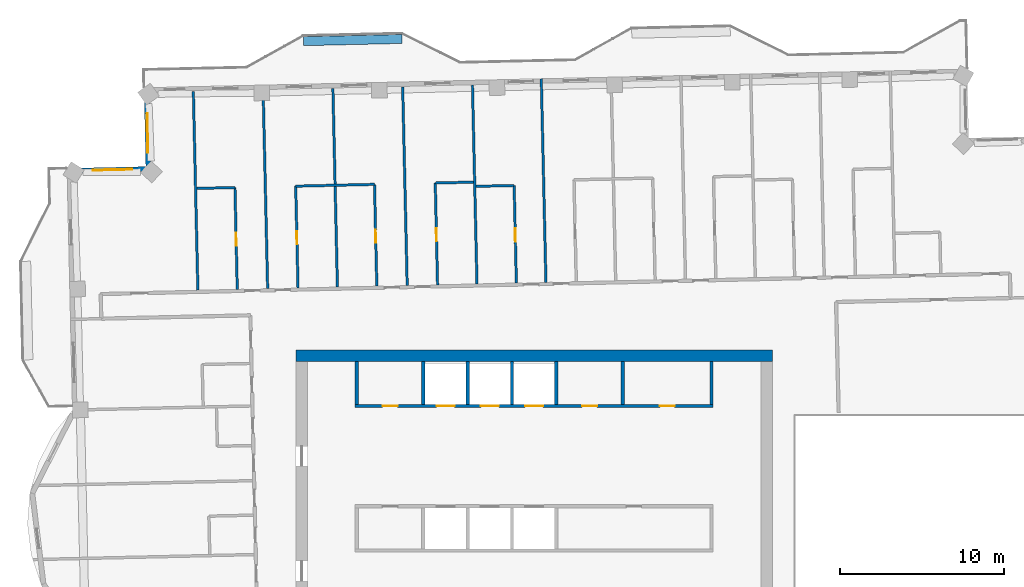
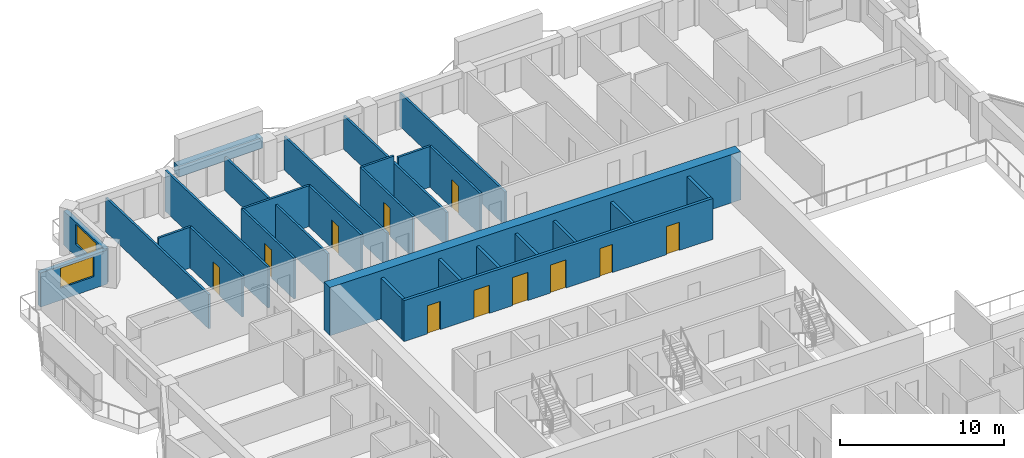
# One storey, part 13 of 19: 27 walls, 11 doors, 2 windows, 13 openings.
"""IFC4 building model written with IfcOpenShell, lengths in metres."""

from ifc_helpers import new_model, si_unit, direction, frame, frame_2d, origin, place, context, subcontext, project, spatial, rectangle, extrude, material, layer, layer_set, type_object, element, fill, save


model = new_model("IFC4")

# Units and contexts
model_context = context("Model", 3, precision=1e-05, world=origin(), true_north=direction((0.0, 1.0)))
body_context = subcontext(model_context, "Body", "Model", "MODEL_VIEW")
ifc_project = project(units=[si_unit("LENGTHUNIT", "METRE"), si_unit("AREAUNIT", "SQUARE_METRE"), si_unit("VOLUMEUNIT", "CUBIC_METRE"), si_unit("PLANEANGLEUNIT", "RADIAN"), si_unit("MASSUNIT", "GRAM", prefix="KILO")], contexts=[model_context])

# Site, building, storey
site_placement = place(None, origin())
site = spatial("IfcSite", under=ifc_project, at=site_placement, CompositionType="ELEMENT")
building_placement = place(site_placement, origin())
building = spatial("IfcBuilding", under=site, at=building_placement, Name="Mangrove Gate Tower", CompositionType="ELEMENT")
storey_placement = place(building_placement, frame((0.0, 0.0, 297.89990234375)))
storey = spatial("IfcBuildingStorey", under=building, at=storey_placement, Name="L76", CompositionType="ELEMENT", Elevation=297.89990234375)

# Walls
ifc_material_1 = material(Name="Concrete C32/40", Category="concrete")
ifc_layer_1 = layer(ifc_material_1, 0.199951171875)
ifc_layer_set_1 = layer_set([ifc_layer_1], Name="Core room wall 200 C32/40")
wall_type_1 = type_object("IfcWallType", Name="Core room wall 200 C32/40", PredefinedType="STANDARD", material=ifc_layer_set_1)
for number, where, z_axis, x_axis, name in (
    (1, (-10.800048828125, 8.199951171875, 0.0), (0.0, 0.0, 1.0), (0.0, 1.0, 0.0), "WALL-L76-CORE-25"),
    (2, (5.39990234375, 8.199951171875, 0.0), (0.0, 0.0, 1.0), (0.0, 1.0, 0.0), "WALL-L76-CORE-30"),
    (3, (10.800048828125, 8.199951171875, 0.0), (0.0, 0.0, 1.0), (0.0, 1.0, 0.0), "WALL-L76-CORE-31"),
):
    element("IfcWall", number, at=place(storey_placement, frame(where, z_axis=z_axis, x_axis=x_axis)), inside=storey, type_object=wall_type_1, Name=name, PredefinedType="STANDARD", context=body_context, shape_type="SweptSolid", body=[
        extrude(rectangle(XDim=2.60009765625, YDim=0.199951171875, at=frame_2d((1.300048828125, 0.0))), origin(), (0.0, 0.0, 1.0), 3.050048828125),
    ])

# Wall, openings, doors
ifc_material_2 = material(Name="Concrete C50/60", Category="concrete")
ifc_layer_2 = layer(ifc_material_2, 0.199951171875)
ifc_layer_set_2 = layer_set([ifc_layer_2], Name="Core shaft wall 200 C50/60")
wall_type_2 = type_object("IfcWallType", Name="Core shaft wall 200 C50/60", PredefinedType="SHEAR", material=ifc_layer_set_2)
wall_1_placement = place(storey_placement, frame((-10.89990234375, 8.10009765625, 0.0), z_axis=(0.0, 0.0, 1.0), x_axis=(1.0, 0.0, 0.0)))
wall_1 = element("IfcWall", 4, at=wall_1_placement, inside=storey, type_object=wall_type_2, Name="WALL-L76-CORE-8", PredefinedType="SHEAR", context=body_context, shape_type="SweptSolid", body=[
    extrude(rectangle(XDim=21.7998046875, YDim=0.199951171875, at=frame_2d((10.89990234375, 0.0))), origin(), (0.0, 0.0, 1.0), 3.050048828125),
])
opening_1_placement = place(wall_1_placement, frame((4.949951171875, 0.0, 0.0)))
opening_1 = element("IfcOpeningElement", 5, at=opening_1_placement, cuts=wall_1, Name="Opening LD", PredefinedType="OPENING", context=body_context, shape_type="SweptSolid", body=[
    extrude(rectangle(XDim=1.10009765625, YDim=2.10009765625, at=frame_2d((0.550048828125, 1.050048828125))), frame((0.0, 0.10986328125, 0.0), z_axis=(0.0, -1.0, 0.0), x_axis=(1.0, 0.0, 0.0)), (0.0, 0.0, 1.0), 0.219970703125),
])
opening_2_placement = place(wall_1_placement, frame((7.64990234375, 0.0, 0.0)))
opening_2 = element("IfcOpeningElement", 6, at=opening_2_placement, cuts=wall_1, Name="Opening LD", PredefinedType="OPENING", context=body_context, shape_type="SweptSolid", body=[
    extrude(rectangle(XDim=1.10009765625, YDim=2.10009765625, at=frame_2d((0.550048828125, 1.050048828125))), frame((0.0, 0.10986328125, 0.0), z_axis=(0.0, -1.0, 0.0), x_axis=(1.0, 0.0, 0.0)), (0.0, 0.0, 1.0), 0.219970703125),
])
opening_3_placement = place(wall_1_placement, frame((10.35009765625, 0.0, 0.0)))
opening_3 = element("IfcOpeningElement", 7, at=opening_3_placement, cuts=wall_1, Name="Opening LD", PredefinedType="OPENING", context=body_context, shape_type="SweptSolid", body=[
    extrude(rectangle(XDim=1.10009765625, YDim=2.10009765625, at=frame_2d((0.550048828125, 1.050048828125))), frame((0.0, 0.10986328125, 0.0), z_axis=(0.0, -1.0, 0.0), x_axis=(1.0, 0.0, 0.0)), (0.0, 0.0, 1.0), 0.219970703125),
])
opening_4_placement = place(wall_1_placement, frame((1.675048828125, 0.0, 0.0)))
opening_4 = element("IfcOpeningElement", 8, at=opening_4_placement, cuts=wall_1, Name="Opening RD", PredefinedType="OPENING", context=body_context, shape_type="SweptSolid", body=[
    extrude(rectangle(XDim=0.89990234375, YDim=2.10009765625, at=frame_2d((0.449951171875, 1.050048828125))), frame((0.0, 0.10986328125, 0.0), z_axis=(0.0, -1.0, 0.0), x_axis=(1.0, 0.0, 0.0)), (0.0, 0.0, 1.0), 0.219970703125),
])
opening_5_placement = place(wall_1_placement, frame((13.824951171875, 0.0, 0.0)))
opening_5 = element("IfcOpeningElement", 9, at=opening_5_placement, cuts=wall_1, Name="Opening RD", PredefinedType="OPENING", context=body_context, shape_type="SweptSolid", body=[
    extrude(rectangle(XDim=0.89990234375, YDim=2.10009765625, at=frame_2d((0.449951171875, 1.050048828125))), frame((0.0, 0.10986328125, 0.0), z_axis=(0.0, -1.0, 0.0), x_axis=(1.0, 0.0, 0.0)), (0.0, 0.0, 1.0), 0.219970703125),
])
opening_6_placement = place(wall_1_placement, frame((18.550048828125, 0.0, 0.0)))
opening_6 = element("IfcOpeningElement", 10, at=opening_6_placement, cuts=wall_1, Name="Opening KD", PredefinedType="OPENING", context=body_context, shape_type="SweptSolid", body=[
    extrude(rectangle(XDim=0.89990234375, YDim=2.10009765625, at=frame_2d((0.449951171875, 1.050048828125))), frame((0.0, 0.10986328125, 0.0), z_axis=(0.0, -1.0, 0.0), x_axis=(1.0, 0.0, 0.0)), (0.0, 0.0, 1.0), 0.219970703125),
])
ifc_material_3 = material(Name="Fire-rated steel door set", Category="steel")
door_type_1 = type_object("IfcDoorType", Name="Core room door FD30S 900x2100", OperationType="SINGLE_SWING_RIGHT", PredefinedType="DOOR", material=ifc_material_3)
door_1_placement = place(opening_6_placement, origin())
door_1 = element("IfcDoor", 11, at=door_1_placement, inside=storey, type_object=door_type_1, Name="Core room door Core WC", OperationType="SINGLE_SWING_RIGHT", OverallHeight=2.10009765625, OverallWidth=0.89990234375, PredefinedType="DOOR", context=body_context, shape_type="SweptSolid", body=[
    extrude(rectangle(XDim=0.89990234375, YDim=2.10009765625, at=frame_2d((0.449951171875, 1.050048828125))), frame((0.0, 0.02490234375, 0.0), z_axis=(0.0, -1.0, 0.0), x_axis=(1.0, 0.0, 0.0)), (0.0, 0.0, 1.0), 0.050048828125),
])
fill(opening_6, door_1)
ifc_material_4 = material(Name="Stainless steel 316", Category="steel")
door_type_2 = type_object("IfcDoorType", Name="Lift landing door 1100x2100", OperationType="SLIDING_TO_LEFT", PredefinedType="DOOR", material=ifc_material_4)
door_2_placement = place(opening_1_placement, origin())
door_2 = element("IfcDoor", 12, at=door_2_placement, inside=storey, type_object=door_type_2, Name="Landing door LD H04", OperationType="SLIDING_TO_LEFT", OverallHeight=2.10009765625, OverallWidth=1.10009765625, PredefinedType="DOOR", context=body_context, shape_type="SweptSolid", body=[
    extrude(rectangle(XDim=1.10009765625, YDim=2.10009765625, at=frame_2d((0.550048828125, 1.050048828125))), frame((0.0, 0.02490234375, 0.0), z_axis=(0.0, -1.0, 0.0), x_axis=(1.0, 0.0, 0.0)), (0.0, 0.0, 1.0), 0.050048828125),
])
fill(opening_1, door_2)
door_3_placement = place(opening_2_placement, origin())
door_3 = element("IfcDoor", 13, at=door_3_placement, inside=storey, type_object=door_type_2, Name="Landing door LD H05", OperationType="SLIDING_TO_LEFT", OverallHeight=2.10009765625, OverallWidth=1.10009765625, PredefinedType="DOOR", context=body_context, shape_type="SweptSolid", body=[
    extrude(rectangle(XDim=1.10009765625, YDim=2.10009765625, at=frame_2d((0.550048828125, 1.050048828125))), frame((0.0, 0.02490234375, 0.0), z_axis=(0.0, -1.0, 0.0), x_axis=(1.0, 0.0, 0.0)), (0.0, 0.0, 1.0), 0.050048828125),
])
fill(opening_2, door_3)
door_4_placement = place(opening_3_placement, origin())
door_4 = element("IfcDoor", 14, at=door_4_placement, inside=storey, type_object=door_type_2, Name="Landing door LD H06", OperationType="SLIDING_TO_LEFT", OverallHeight=2.10009765625, OverallWidth=1.10009765625, PredefinedType="DOOR", context=body_context, shape_type="SweptSolid", body=[
    extrude(rectangle(XDim=1.10009765625, YDim=2.10009765625, at=frame_2d((0.550048828125, 1.050048828125))), frame((0.0, 0.02490234375, 0.0), z_axis=(0.0, -1.0, 0.0), x_axis=(1.0, 0.0, 0.0)), (0.0, 0.0, 1.0), 0.050048828125),
])
fill(opening_3, door_4)
ifc_material_5 = material(Name="Fire-rated steel door set", Category="steel")
door_type_3 = type_object("IfcDoorType", Name="Riser door FD30S 900x2100", OperationType="SINGLE_SWING_LEFT", PredefinedType="DOOR", material=ifc_material_5)
door_5_placement = place(opening_4_placement, origin())
door_5 = element("IfcDoor", 15, at=door_5_placement, inside=storey, type_object=door_type_3, Name="Riser door Switch room", OperationType="SINGLE_SWING_LEFT", OverallHeight=2.10009765625, OverallWidth=0.89990234375, PredefinedType="DOOR", context=body_context, shape_type="SweptSolid", body=[
    extrude(rectangle(XDim=0.89990234375, YDim=2.10009765625, at=frame_2d((0.449951171875, 1.050048828125))), frame((0.0, 0.02490234375, 0.0), z_axis=(0.0, -1.0, 0.0), x_axis=(1.0, 0.0, 0.0)), (0.0, 0.0, 1.0), 0.050048828125),
])
fill(opening_4, door_5)
door_6_placement = place(opening_5_placement, origin())
door_6 = element("IfcDoor", 16, at=door_6_placement, inside=storey, type_object=door_type_3, Name="Riser door Comms room", OperationType="SINGLE_SWING_LEFT", OverallHeight=2.10009765625, OverallWidth=0.89990234375, PredefinedType="DOOR", context=body_context, shape_type="SweptSolid", body=[
    extrude(rectangle(XDim=0.89990234375, YDim=2.10009765625, at=frame_2d((0.449951171875, 1.050048828125))), frame((0.0, 0.02490234375, 0.0), z_axis=(0.0, -1.0, 0.0), x_axis=(1.0, 0.0, 0.0)), (0.0, 0.0, 1.0), 0.050048828125),
])
fill(opening_5, door_6)

# Walls
for number, where, z_axis, x_axis, name in (
    (17, (-6.75, 8.199951171875, 0.0), (0.0, 0.0, 1.0), (0.0, 1.0, 0.0), "WALL-L76-CORE-26"),
    (18, (-4.050048828125, 8.199951171875, 0.0), (0.0, 0.0, 1.0), (0.0, 1.0, 0.0), "WALL-L76-CORE-27"),
    (19, (-1.35009765625, 8.199951171875, 0.0), (0.0, 0.0, 1.0), (0.0, 1.0, 0.0), "WALL-L76-CORE-28"),
    (20, (1.35009765625, 8.199951171875, 0.0), (0.0, 0.0, 1.0), (0.0, 1.0, 0.0), "WALL-L76-CORE-29"),
):
    element("IfcWall", number, at=place(storey_placement, frame(where, z_axis=z_axis, x_axis=x_axis)), inside=storey, type_object=wall_type_2, Name=name, PredefinedType="SHEAR", context=body_context, shape_type="SweptSolid", body=[
        extrude(rectangle(XDim=2.60009765625, YDim=0.199951171875, at=frame_2d((1.300048828125, 0.0))), origin(), (0.0, 0.0, 1.0), 3.050048828125),
    ])
ifc_material_6 = material(Name="Concrete C50/60", Category="concrete")
ifc_layer_3 = layer(ifc_material_6, 0.699951171875)
ifc_layer_set_3 = layer_set([ifc_layer_3], Name="Core wall 700 C50/60")
wall_type_3 = type_object("IfcWallType", Name="Core wall 700 C50/60", PredefinedType="SHEAR", material=ifc_layer_set_3)
wall_2_placement = place(storey_placement, frame((-14.5, 11.14990234375, 0.0), z_axis=(0.0, 0.0, 1.0), x_axis=(1.0, 0.0, 0.0)))
element("IfcWall", 21, at=wall_2_placement, inside=storey, type_object=wall_type_3, Name="WALL-L76-CORE-2", PredefinedType="SHEAR", context=body_context, shape_type="SweptSolid", body=[
    extrude(rectangle(XDim=29.0, YDim=0.699951171875, at=frame_2d((14.5, 0.0))), origin(), (0.0, 0.0, 1.0), 3.60009765625),
])

# Wall, opening, window
ifc_material_7 = material(Name="Limestone", Category="masonry")
ifc_layer_4 = layer(ifc_material_7, 0.0400390625, Name="Limestone cladding")
ifc_material_8 = material(Name="Ventilated air gap")
ifc_layer_5 = layer(ifc_material_8, 0.0400390625, Name="Ventilated cavity")
ifc_material_9 = material(Name="Mineral wool insulation")
ifc_layer_6 = layer(ifc_material_9, 0.06005859375, Name="Insulation")
ifc_material_10 = material(Name="Breather membrane")
ifc_layer_7 = layer(ifc_material_10, 0.001953125, Name="Breather membrane")
ifc_material_11 = material(Name="Concrete C20/25 blockwork", Category="masonry")
ifc_layer_8 = layer(ifc_material_11, 0.14990234375, Name="Blockwork backing wall")
ifc_material_12 = material(Name="Gypsum plaster")
ifc_layer_9 = layer(ifc_material_12, 0.008056640625, Name="Internal plaster")
ifc_layer_set_4 = layer_set([ifc_layer_4, ifc_layer_5, ifc_layer_6, ifc_layer_7, ifc_layer_8, ifc_layer_9], Name="External wall 300 limestone cladding")
wall_type_4 = type_object("IfcWallType", Name="External wall 300 limestone cladding", PredefinedType="SOLIDWALL", material=ifc_layer_set_4)
wall_3_placement = place(storey_placement, frame((-23.60693359375, 27.3349609375, 0.0), z_axis=(0.0, 0.0, 1.0), x_axis=(0.022631497725, -0.999743874855, 0.0)))
wall_3 = element("IfcWall", 22, at=wall_3_placement, inside=storey, type_object=wall_type_4, Name="WALL-L76-W6s1", PredefinedType="SOLIDWALL", context=body_context, shape_type="SweptSolid", body=[
    extrude(rectangle(XDim=4.811279296875, YDim=0.300048828125, at=frame_2d((2.40576171875, 0.0))), origin(), (0.0, 0.0, 1.0), 2.550048828125),
])
opening_7_placement = place(wall_3_placement, frame((1.408935546875, 0.0, 0.89990234375)))
opening_7 = element("IfcOpeningElement", 23, at=opening_7_placement, cuts=wall_3, Name="Opening W2", PredefinedType="OPENING", context=body_context, shape_type="SweptSolid", body=[
    extrude(rectangle(XDim=2.39990234375, YDim=1.5, at=frame_2d((1.199951171875, 0.75))), frame((0.0, 0.159912109375, 0.0), z_axis=(0.0, -1.0, 0.0), x_axis=(1.0, 0.0, 0.0)), (0.0, 0.0, 1.0), 0.320068359375),
])
ifc_material_13 = material(Name="Aluminium frame with double-glazed low-e glass", Category="aluminium")
window_type = type_object("IfcWindowType", Name="Corner room window 2400x1500", PartitioningType="DOUBLE_PANEL_VERTICAL", PredefinedType="WINDOW", material=ifc_material_13)
window_1_placement = place(opening_7_placement, origin())
window_1 = element("IfcWindow", 24, at=window_1_placement, inside=storey, type_object=window_type, Name="WIN-L76-W6-1", OverallHeight=1.5, OverallWidth=2.39990234375, PartitioningType="DOUBLE_PANEL_VERTICAL", PredefinedType="WINDOW", context=body_context, shape_type="SweptSolid", body=[
    extrude(rectangle(XDim=2.39990234375, YDim=1.5, at=frame_2d((1.199951171875, 0.75))), frame((0.0, 0.030029296875, 0.0), z_axis=(0.0, -1.0, 0.0), x_axis=(1.0, 0.0, 0.0)), (0.0, 0.0, 1.0), 0.06005859375),
])
fill(opening_7, window_1)

wall_4_placement = place(storey_placement, frame((-23.498046875, 22.535888671875, 0.0), z_axis=(0.0, 0.0, 1.0), x_axis=(-0.999742701292, -0.022683280499, 0.0)))
wall_4 = element("IfcWall", 25, at=wall_4_placement, inside=storey, type_object=wall_type_4, Name="WALL-L76-N7", PredefinedType="SOLIDWALL", context=body_context, shape_type="SweptSolid", body=[
    extrude(rectangle(XDim=4.80029296875, YDim=0.300048828125, at=frame_2d((2.400146484375, 0.0))), origin(), (0.0, 0.0, 1.0), 2.550048828125),
])
opening_8_placement = place(wall_4_placement, frame((0.989990234375, 0.0, 0.89990234375)))
opening_8 = element("IfcOpeningElement", 26, at=opening_8_placement, cuts=wall_4, Name="Opening W2", PredefinedType="OPENING", context=body_context, shape_type="SweptSolid", body=[
    extrude(rectangle(XDim=2.39990234375, YDim=1.5, at=frame_2d((1.199951171875, 0.75))), frame((0.0, 0.159912109375, 0.0), z_axis=(0.0, -1.0, 0.0), x_axis=(1.0, 0.0, 0.0)), (0.0, 0.0, 1.0), 0.320068359375),
])
window_2_placement = place(opening_8_placement, origin())
window_2 = element("IfcWindow", 27, at=window_2_placement, inside=storey, type_object=window_type, Name="WIN-L76-N7-1", OverallHeight=1.5, OverallWidth=2.39990234375, PartitioningType="DOUBLE_PANEL_VERTICAL", PredefinedType="WINDOW", context=body_context, shape_type="SweptSolid", body=[
    extrude(rectangle(XDim=2.39990234375, YDim=1.5, at=frame_2d((1.199951171875, 0.75))), frame((0.0, 0.030029296875, 0.0), z_axis=(0.0, -1.0, 0.0), x_axis=(1.0, 0.0, 0.0)), (0.0, 0.0, 1.0), 0.06005859375),
])
fill(opening_8, window_2)

# Wall
ifc_material_14 = material(Name="Gypsum board on steel stud, EI 60", Category="steel")
ifc_layer_10 = layer(ifc_material_14, 0.14990234375)
ifc_layer_set_5 = layer_set([ifc_layer_10], Name="Party wall 150 EI 60")
wall_type_5 = type_object("IfcWallType", Name="Party wall 150 EI 60", PredefinedType="PARTITIONING", material=ifc_layer_set_5)
wall_5_placement = place(storey_placement, frame((-20.48193359375, 15.152099609375, 0.0), z_axis=(0.0, 0.0, 1.0), x_axis=(-0.022737445516, 0.999741470867, 0.0)))
element("IfcWall", 28, at=wall_5_placement, inside=storey, type_object=wall_type_5, Name="WALL-L76-061", PredefinedType="PARTITIONING", context=body_context, shape_type="SweptSolid", body=[
    extrude(rectangle(XDim=12.10107421875, YDim=0.14990234375, at=frame_2d((6.050537109375, 0.0))), origin(), (0.0, 0.0, 1.0), 2.550048828125),
])

# Wall, opening, door
wall_6_placement = place(storey_placement, frame((-18.0830078125, 15.20703125, 0.0), z_axis=(0.0, 0.0, 1.0), x_axis=(-0.022564860101, 0.999745381129, 0.0)))
wall_6 = element("IfcWall", 29, at=wall_6_placement, inside=storey, type_object=wall_type_5, Name="WALL-L76-062", PredefinedType="PARTITIONING", context=body_context, shape_type="SweptSolid", body=[
    extrude(rectangle(XDim=6.199462890625, YDim=0.14990234375, at=frame_2d((3.099609375, 0.0))), origin(), (0.0, 0.0, 1.0), 3.050048828125),
])
opening_9_placement = place(wall_6_placement, frame((2.64990234375, 0.0, 0.0)))
opening_9 = element("IfcOpeningElement", 30, at=opening_9_placement, cuts=wall_6, Name="Opening ED", PredefinedType="OPENING", context=body_context, shape_type="SweptSolid", body=[
    extrude(rectangle(XDim=0.800048828125, YDim=2.10009765625, at=frame_2d((0.39990234375, 1.050048828125))), frame((0.0, 0.0849609375, 0.0), z_axis=(0.0, -1.0, 0.0), x_axis=(1.0, 0.0, 0.0)), (0.0, 0.0, 1.0), 0.169921875),
])
ifc_material_15 = material(Name="Timber door leaf", Category="wood")
door_type_4 = type_object("IfcDoorType", Name="En-suite door 800", OperationType="SINGLE_SWING_LEFT", PredefinedType="DOOR", material=ifc_material_15)
door_7_placement = place(opening_9_placement, origin())
door_7 = element("IfcDoor", 31, at=door_7_placement, inside=storey, type_object=door_type_4, Name="DOOR-L76-ENS-c519", OperationType="SINGLE_SWING_LEFT", OverallHeight=2.10009765625, OverallWidth=0.800048828125, PredefinedType="DOOR", context=body_context, shape_type="SweptSolid", body=[
    extrude(rectangle(XDim=0.800048828125, YDim=2.10009765625, at=frame_2d((0.39990234375, 1.050048828125))), frame((0.0, 0.02490234375, 0.0), z_axis=(0.0, -1.0, 0.0), x_axis=(1.0, 0.0, 0.0)), (0.0, 0.0, 1.0), 0.050048828125),
])
fill(opening_9, door_7)

# Wall
wall_7_placement = place(storey_placement, frame((-16.23291015625, 15.2490234375, 0.0), z_axis=(0.0, 0.0, 1.0), x_axis=(-0.02273928012, 0.99974142914, 0.0)))
element("IfcWall", 32, at=wall_7_placement, inside=storey, type_object=wall_type_5, Name="WALL-L76-063", PredefinedType="PARTITIONING", context=body_context, shape_type="SweptSolid", body=[
    extrude(rectangle(XDim=12.10009765625, YDim=0.14990234375, at=frame_2d((6.050048828125, 0.0))), origin(), (0.0, 0.0, 1.0), 3.050048828125),
])

# Wall, opening, door
wall_8_placement = place(storey_placement, frame((-14.384033203125, 15.291015625, 0.0), z_axis=(0.0, 0.0, 1.0), x_axis=(-0.022564860101, 0.999745381129, 0.0)))
wall_8 = element("IfcWall", 33, at=wall_8_placement, inside=storey, type_object=wall_type_5, Name="WALL-L76-064", PredefinedType="PARTITIONING", context=body_context, shape_type="SweptSolid", body=[
    extrude(rectangle(XDim=6.199462890625, YDim=0.14990234375, at=frame_2d((3.099609375, 0.0))), origin(), (0.0, 0.0, 1.0), 3.050048828125),
])
opening_10_placement = place(wall_8_placement, frame((2.64990234375, 0.0, 0.0)))
opening_10 = element("IfcOpeningElement", 34, at=opening_10_placement, cuts=wall_8, Name="Opening ED", PredefinedType="OPENING", context=body_context, shape_type="SweptSolid", body=[
    extrude(rectangle(XDim=0.800048828125, YDim=2.10009765625, at=frame_2d((0.39990234375, 1.050048828125))), frame((0.0, 0.0849609375, 0.0), z_axis=(0.0, -1.0, 0.0), x_axis=(1.0, 0.0, 0.0)), (0.0, 0.0, 1.0), 0.169921875),
])
door_8_placement = place(opening_10_placement, origin())
door_8 = element("IfcDoor", 35, at=door_8_placement, inside=storey, type_object=door_type_4, Name="DOOR-L76-ENS-c518", OperationType="SINGLE_SWING_RIGHT", OverallHeight=2.10009765625, OverallWidth=0.800048828125, PredefinedType="DOOR", context=body_context, shape_type="SweptSolid", body=[
    extrude(rectangle(XDim=0.800048828125, YDim=2.10009765625, at=frame_2d((0.39990234375, 1.050048828125))), frame((0.0, 0.02490234375, 0.0), z_axis=(0.0, -1.0, 0.0), x_axis=(1.0, 0.0, 0.0)), (0.0, 0.0, 1.0), 0.050048828125),
])
fill(opening_10, door_8)

# Wall
wall_9_placement = place(storey_placement, frame((-11.98388671875, 15.344970703125, 0.0), z_axis=(0.0, 0.0, 1.0), x_axis=(-0.02273928012, 0.99974142914, 0.0)))
element("IfcWall", 36, at=wall_9_placement, inside=storey, type_object=wall_type_5, Name="WALL-L76-065", PredefinedType="PARTITIONING", context=body_context, shape_type="SweptSolid", body=[
    extrude(rectangle(XDim=12.10009765625, YDim=0.14990234375, at=frame_2d((6.050048828125, 0.0))), origin(), (0.0, 0.0, 1.0), 2.5),
])

# Wall, opening, door
wall_10_placement = place(storey_placement, frame((-9.5849609375, 15.39990234375, 0.0), z_axis=(0.0, 0.0, 1.0), x_axis=(-0.022604220207, 0.999744491972, 0.0)))
wall_10 = element("IfcWall", 37, at=wall_10_placement, inside=storey, type_object=wall_type_5, Name="WALL-L76-066", PredefinedType="PARTITIONING", context=body_context, shape_type="SweptSolid", body=[
    extrude(rectangle(XDim=6.199462890625, YDim=0.14990234375, at=frame_2d((3.099609375, 0.0))), origin(), (0.0, 0.0, 1.0), 3.050048828125),
])
opening_11_placement = place(wall_10_placement, frame((2.64990234375, 0.0, 0.0)))
opening_11 = element("IfcOpeningElement", 38, at=opening_11_placement, cuts=wall_10, Name="Opening ED", PredefinedType="OPENING", context=body_context, shape_type="SweptSolid", body=[
    extrude(rectangle(XDim=0.800048828125, YDim=2.10009765625, at=frame_2d((0.39990234375, 1.050048828125))), frame((0.0, 0.0849609375, 0.0), z_axis=(0.0, -1.0, 0.0), x_axis=(1.0, 0.0, 0.0)), (0.0, 0.0, 1.0), 0.169921875),
])
door_9_placement = place(opening_11_placement, origin())
door_9 = element("IfcDoor", 39, at=door_9_placement, inside=storey, type_object=door_type_4, Name="DOOR-L76-ENS-c517", OperationType="SINGLE_SWING_LEFT", OverallHeight=2.10009765625, OverallWidth=0.800048828125, PredefinedType="DOOR", context=body_context, shape_type="SweptSolid", body=[
    extrude(rectangle(XDim=0.800048828125, YDim=2.10009765625, at=frame_2d((0.39990234375, 1.050048828125))), frame((0.0, 0.02490234375, 0.0), z_axis=(0.0, -1.0, 0.0), x_axis=(1.0, 0.0, 0.0)), (0.0, 0.0, 1.0), 0.050048828125),
])
fill(opening_11, door_9)

# Wall
wall_11_placement = place(storey_placement, frame((-7.735107421875, 15.44189453125, 0.0), z_axis=(0.0, 0.0, 1.0), x_axis=(-0.022718655443, 0.999741898039, 0.0)))
element("IfcWall", 40, at=wall_11_placement, inside=storey, type_object=wall_type_5, Name="WALL-L76-067", PredefinedType="PARTITIONING", context=body_context, shape_type="SweptSolid", body=[
    extrude(rectangle(XDim=12.100341796875, YDim=0.14990234375, at=frame_2d((6.05029296875, 0.0))), origin(), (0.0, 0.0, 1.0), 2.5),
])

# Wall, opening, door
wall_12_placement = place(storey_placement, frame((-5.885986328125, 15.48388671875, 0.0), z_axis=(0.0, 0.0, 1.0), x_axis=(-0.022564860101, 0.999745381129, 0.0)))
wall_12 = element("IfcWall", 41, at=wall_12_placement, inside=storey, type_object=wall_type_5, Name="WALL-L76-068", PredefinedType="PARTITIONING", context=body_context, shape_type="SweptSolid", body=[
    extrude(rectangle(XDim=6.199462890625, YDim=0.14990234375, at=frame_2d((3.099609375, 0.0))), origin(), (0.0, 0.0, 1.0), 3.050048828125),
])
opening_12_placement = place(wall_12_placement, frame((2.64990234375, 0.0, 0.0)))
opening_12 = element("IfcOpeningElement", 42, at=opening_12_placement, cuts=wall_12, Name="Opening ED", PredefinedType="OPENING", context=body_context, shape_type="SweptSolid", body=[
    extrude(rectangle(XDim=0.800048828125, YDim=2.10009765625, at=frame_2d((0.39990234375, 1.050048828125))), frame((0.0, 0.0849609375, 0.0), z_axis=(0.0, -1.0, 0.0), x_axis=(1.0, 0.0, 0.0)), (0.0, 0.0, 1.0), 0.169921875),
])
door_10_placement = place(opening_12_placement, origin())
door_10 = element("IfcDoor", 43, at=door_10_placement, inside=storey, type_object=door_type_4, Name="DOOR-L76-ENS-c416", OperationType="SINGLE_SWING_RIGHT", OverallHeight=2.10009765625, OverallWidth=0.800048828125, PredefinedType="DOOR", context=body_context, shape_type="SweptSolid", body=[
    extrude(rectangle(XDim=0.800048828125, YDim=2.10009765625, at=frame_2d((0.39990234375, 1.050048828125))), frame((0.0, 0.02490234375, 0.0), z_axis=(0.0, -1.0, 0.0), x_axis=(1.0, 0.0, 0.0)), (0.0, 0.0, 1.0), 0.050048828125),
])
fill(opening_12, door_10)

# Wall
wall_13_placement = place(storey_placement, frame((-3.486083984375, 15.5380859375, 0.0), z_axis=(0.0, 0.0, 1.0), x_axis=(-0.022719113715, 0.999741887625, 0.0)))
element("IfcWall", 44, at=wall_13_placement, inside=storey, type_object=wall_type_5, Name="WALL-L76-069", PredefinedType="PARTITIONING", context=body_context, shape_type="SweptSolid", body=[
    extrude(rectangle(XDim=12.10009765625, YDim=0.14990234375, at=frame_2d((6.050048828125, 0.0))), origin(), (0.0, 0.0, 1.0), 2.5),
])

# Wall, opening, door
wall_14_placement = place(storey_placement, frame((-1.0869140625, 15.593017578125, 0.0), z_axis=(0.0, 0.0, 1.0), x_axis=(-0.022730742442, 0.999741623295, 0.0)))
wall_14 = element("IfcWall", 45, at=wall_14_placement, inside=storey, type_object=wall_type_5, Name="WALL-L76-070", PredefinedType="PARTITIONING", context=body_context, shape_type="SweptSolid", body=[
    extrude(rectangle(XDim=5.939453125, YDim=0.14990234375, at=frame_2d((2.9697265625, 0.0))), origin(), (0.0, 0.0, 1.0), 3.050048828125),
])
opening_13_placement = place(wall_14_placement, frame((2.52001953125, 0.0, 0.0)))
opening_13 = element("IfcOpeningElement", 46, at=opening_13_placement, cuts=wall_14, Name="Opening ED", PredefinedType="OPENING", context=body_context, shape_type="SweptSolid", body=[
    extrude(rectangle(XDim=0.800048828125, YDim=2.10009765625, at=frame_2d((0.39990234375, 1.050048828125))), frame((0.0, 0.0849609375, 0.0), z_axis=(0.0, -1.0, 0.0), x_axis=(1.0, 0.0, 0.0)), (0.0, 0.0, 1.0), 0.169921875),
])
door_11_placement = place(opening_13_placement, origin())
door_11 = element("IfcDoor", 47, at=door_11_placement, inside=storey, type_object=door_type_4, Name="DOOR-L76-ENS-c415", OperationType="SINGLE_SWING_LEFT", OverallHeight=2.10009765625, OverallWidth=0.800048828125, PredefinedType="DOOR", context=body_context, shape_type="SweptSolid", body=[
    extrude(rectangle(XDim=0.800048828125, YDim=2.10009765625, at=frame_2d((0.39990234375, 1.050048828125))), frame((0.0, 0.02490234375, 0.0), z_axis=(0.0, -1.0, 0.0), x_axis=(1.0, 0.0, 0.0)), (0.0, 0.0, 1.0), 0.050048828125),
])
fill(opening_13, door_11)

# Walls
wall_15_placement = place(storey_placement, frame((0.712890625, 15.633056640625, 0.0), z_axis=(0.0, 0.0, 1.0), x_axis=(-0.022740189192, 0.999741408463, 0.0)))
element("IfcWall", 48, at=wall_15_placement, inside=storey, type_object=wall_type_5, Name="WALL-L76-071", PredefinedType="PARTITIONING", context=body_context, shape_type="SweptSolid", body=[
    extrude(rectangle(XDim=12.400146484375, YDim=0.14990234375, at=frame_2d((6.2001953125, 0.0))), origin(), (0.0, 0.0, 1.0), 2.5),
])
wall_16_placement = place(storey_placement, frame((-3.5439453125, 21.47802734375, 0.0), z_axis=(0.0, 0.0, 1.0), x_axis=(0.999740260747, 0.02279059109, 0.0)))
element("IfcWall", 49, at=wall_16_placement, inside=storey, type_object=wall_type_5, Name="WALL-L76-084", PredefinedType="PARTITIONING", context=body_context, shape_type="SweptSolid", body=[
    extrude(rectangle(XDim=2.324462890625, YDim=0.14990234375, at=frame_2d((1.162109375, 0.0))), origin(), (0.0, 0.0, 1.0), 3.050048828125),
])
wall_17_placement = place(storey_placement, frame((-20.5458984375, 21.35302734375, 0.0), z_axis=(0.0, 0.0, 1.0), x_axis=(0.999749954681, 0.022361308448, 0.0)))
element("IfcWall", 50, at=wall_17_placement, inside=storey, type_object=wall_type_5, Name="WALL-L76-086", PredefinedType="PARTITIONING", context=body_context, shape_type="SweptSolid", body=[
    extrude(rectangle(XDim=2.325439453125, YDim=0.14990234375, at=frame_2d((1.16259765625, 0.0))), origin(), (0.0, 0.0, 1.0), 3.050048828125),
])
wall_18_placement = place(storey_placement, frame((-14.52197265625, 21.489013671875, 0.0), z_axis=(0.0, 0.0, 1.0), x_axis=(0.999742701292, 0.022683280499, 0.0)))
element("IfcWall", 51, at=wall_18_placement, inside=storey, type_object=wall_type_5, Name="WALL-L76-087", PredefinedType="PARTITIONING", context=body_context, shape_type="SweptSolid", body=[
    extrude(rectangle(XDim=4.80029296875, YDim=0.14990234375, at=frame_2d((2.400146484375, 0.0))), origin(), (0.0, 0.0, 1.0), 3.050048828125),
])
wall_19_placement = place(storey_placement, frame((-6.02392578125, 21.681884765625, 0.0), z_axis=(0.0, 0.0, 1.0), x_axis=(0.999737862264, 0.022895561926, 0.0)))
element("IfcWall", 52, at=wall_19_placement, inside=storey, type_object=wall_type_5, Name="WALL-L76-088", PredefinedType="PARTITIONING", context=body_context, shape_type="SweptSolid", body=[
    extrude(rectangle(XDim=2.324462890625, YDim=0.14990234375, at=frame_2d((1.162109375, 0.0))), origin(), (0.0, 0.0, 1.0), 3.050048828125),
])
ifc_material_16 = material(Name="Concrete C32/40", Category="concrete")
ifc_layer_11 = layer(ifc_material_16, 0.199951171875, Name="Planter trough wall")
ifc_material_17 = material(Name="Bituminous waterproofing membrane")
ifc_layer_12 = layer(ifc_material_17, 0.0048828125, Name="Waterproofing")
ifc_material_18 = material(Name="Drainage board and gravel")
ifc_layer_13 = layer(ifc_material_18, 0.044921875, Name="Drainage layer")
ifc_material_19 = material(Name="Planting soil")
ifc_layer_14 = layer(ifc_material_19, 0.300048828125, Name="Growing medium")
ifc_layer_set_6 = layer_set([ifc_layer_11, ifc_layer_12, ifc_layer_13, ifc_layer_14], Name="Planter wall 550 C32/40")
wall_type_6 = type_object("IfcWallType", Name="Planter wall 550 C32/40", PredefinedType="USERDEFINED", material=ifc_layer_set_6)
wall_20_placement = place(storey_placement, frame((-14.054931640625, 30.31689453125, 0.0), z_axis=(0.0, 0.0, 1.0), x_axis=(0.999743178102, 0.022662255828, 0.0)))
element("IfcWall", 53, at=wall_20_placement, inside=storey, type_object=wall_type_6, Name="PLANTER L76 N1.1", ObjectType="PLANTER", PredefinedType="USERDEFINED", context=body_context, shape_type="SweptSolid", body=[
    extrude(rectangle(XDim=6.00048828125, YDim=0.550048828125, at=frame_2d((3.000244140625, 0.0))), origin(), (0.0, 0.0, 1.0), 0.800048828125),
])

save(model, "model.ifc")
